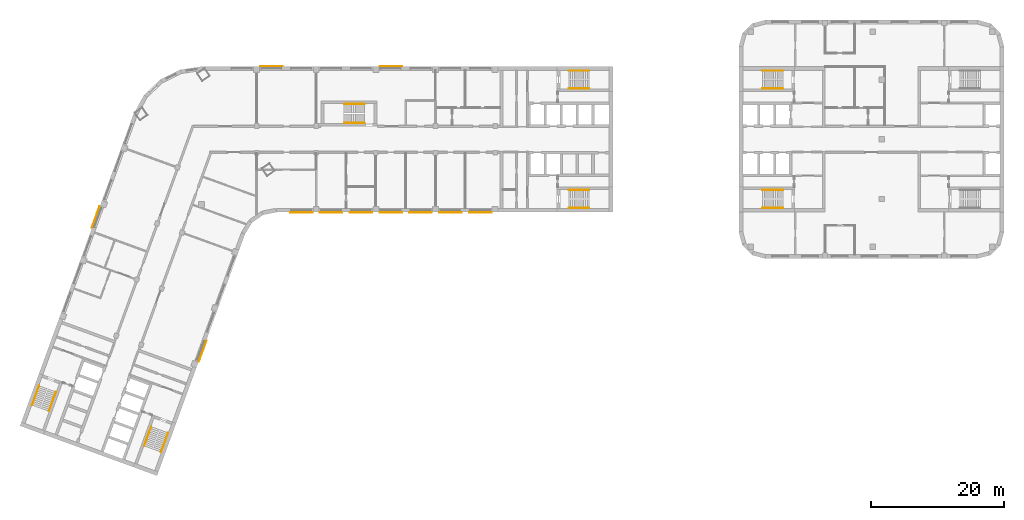
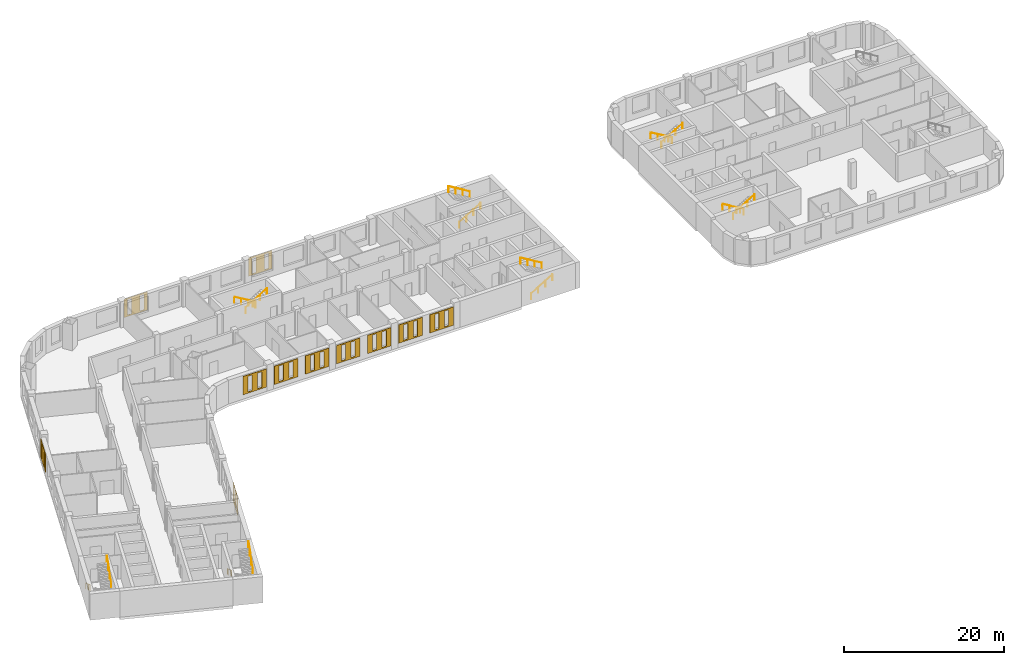
# One storey, part 11 of 12: 14 railings, 11 coverings.
"""IFC4 building model written with IfcOpenShell, lengths in metres."""

from ifc_helpers import new_model, si_unit, direction, frame, origin, origin_2d, place, context, subcontext, project, spatial, polyline, circle, outline, extrude, material, material_profile, profile_set, type_object, element, save


model = new_model("IFC4")

# Units and contexts
model_context = context("Model", 3, precision=1e-05, world=origin(), true_north=direction((0.0, 1.0)))
body_context = subcontext(model_context, "Body", "Model", "MODEL_VIEW")
ifc_project = project(units=[si_unit("LENGTHUNIT", "METRE"), si_unit("AREAUNIT", "SQUARE_METRE"), si_unit("VOLUMEUNIT", "CUBIC_METRE"), si_unit("PLANEANGLEUNIT", "RADIAN"), si_unit("MASSUNIT", "GRAM", prefix="KILO")], contexts=[model_context])

# Site, building, storey
site_placement = place(None, origin())
site = spatial("IfcSite", under=ifc_project, at=site_placement, CompositionType="ELEMENT")
building_placement = place(site_placement, origin())
building = spatial("IfcBuilding", under=site, at=building_placement, Name="Skarvind Civic Tower", CompositionType="ELEMENT")
storey_placement = place(building_placement, frame((0.0, 0.0, 47.5)))
storey = spatial("IfcBuildingStorey", under=building, at=storey_placement, Name="L10", CompositionType="ELEMENT", Elevation=47.5)

# Railings
ifc_material_1 = material(Name="Painted steel handrail", Category="steel")
railing_type = type_object("IfcRailingType", Name="Stair handrail 900", PredefinedType="HANDRAIL", material=ifc_material_1)
railing_1_placement = place(storey_placement, frame((101.35009765625, 135.64990234375, 0.166748046875)))
element("IfcRailing", 1, at=railing_1_placement, inside=storey, type_object=railing_type, Name="Stair handrail", PredefinedType="HANDRAIL", context=body_context, shape_type="SweptSolid", body=[
    extrude(circle(Radius=0.02392578125, at=origin_2d()), frame((0.0, 0.0, 0.8759765625), z_axis=(0.859290745958, 0.0, 0.51148745235), x_axis=(0.0, 1.0, 0.0)), (0.0, 0.0, 1.0), 3.584228515625),
    extrude(circle(Radius=0.02099609375, at=origin_2d()), origin(), (0.0, 0.0, 1.0), 0.851806640625),
    extrude(circle(Radius=0.02099609375, at=origin_2d()), frame((1.026611328125, 0.0, 0.611083984375)), (0.0, 0.0, 1.0), 0.851806640625),
    extrude(circle(Radius=0.02099609375, at=origin_2d()), frame((2.05322265625, 0.0, 1.22216796875)), (0.0, 0.0, 1.0), 0.851806640625),
    extrude(circle(Radius=0.02099609375, at=origin_2d()), frame((3.079833984375, 0.0, 1.833251953125)), (0.0, 0.0, 1.0), 0.851806640625),
])
railing_2_placement = place(storey_placement, frame((104.429931640625, 138.35009765625, 2.166748046875)))
element("IfcRailing", 2, at=railing_2_placement, inside=storey, type_object=railing_type, Name="Stair handrail", PredefinedType="HANDRAIL", context=body_context, shape_type="SweptSolid", body=[
    extrude(circle(Radius=0.02392578125, at=origin_2d()), frame((0.0, 0.0, 0.8759765625), z_axis=(-0.859290745958, 0.0, 0.51148745235), x_axis=(0.0, -1.0, 0.0)), (0.0, 0.0, 1.0), 3.584228515625),
    extrude(circle(Radius=0.02099609375, at=origin_2d()), origin(), (0.0, 0.0, 1.0), 0.851806640625),
    extrude(circle(Radius=0.02099609375, at=origin_2d()), frame((-1.026611328125, 0.0, 0.611083984375)), (0.0, 0.0, 1.0), 0.851806640625),
    extrude(circle(Radius=0.02099609375, at=origin_2d()), frame((-2.05322265625, 0.0, 1.22216796875)), (0.0, 0.0, 1.0), 0.851806640625),
    extrude(circle(Radius=0.02099609375, at=origin_2d()), frame((-3.079833984375, 0.0, 1.833251953125)), (0.0, 0.0, 1.0), 0.851806640625),
])
railing_3_placement = place(storey_placement, frame((101.35009765625, 117.64990234375, 0.166748046875)))
element("IfcRailing", 3, at=railing_3_placement, inside=storey, type_object=railing_type, Name="Stair handrail", PredefinedType="HANDRAIL", context=body_context, shape_type="SweptSolid", body=[
    extrude(circle(Radius=0.02392578125, at=origin_2d()), frame((0.0, 0.0, 0.8759765625), z_axis=(0.859290745958, 0.0, 0.51148745235), x_axis=(0.0, 1.0, 0.0)), (0.0, 0.0, 1.0), 3.584228515625),
    extrude(circle(Radius=0.02099609375, at=origin_2d()), origin(), (0.0, 0.0, 1.0), 0.851806640625),
    extrude(circle(Radius=0.02099609375, at=origin_2d()), frame((1.026611328125, 0.0, 0.611083984375)), (0.0, 0.0, 1.0), 0.851806640625),
    extrude(circle(Radius=0.02099609375, at=origin_2d()), frame((2.05322265625, 0.0, 1.22216796875)), (0.0, 0.0, 1.0), 0.851806640625),
    extrude(circle(Radius=0.02099609375, at=origin_2d()), frame((3.079833984375, 0.0, 1.833251953125)), (0.0, 0.0, 1.0), 0.851806640625),
])
railing_4_placement = place(storey_placement, frame((104.429931640625, 120.35009765625, 2.166748046875)))
element("IfcRailing", 4, at=railing_4_placement, inside=storey, type_object=railing_type, Name="Stair handrail", PredefinedType="HANDRAIL", context=body_context, shape_type="SweptSolid", body=[
    extrude(circle(Radius=0.02392578125, at=origin_2d()), frame((0.0, 0.0, 0.8759765625), z_axis=(-0.859290745958, 0.0, 0.51148745235), x_axis=(0.0, -1.0, 0.0)), (0.0, 0.0, 1.0), 3.584228515625),
    extrude(circle(Radius=0.02099609375, at=origin_2d()), origin(), (0.0, 0.0, 1.0), 0.851806640625),
    extrude(circle(Radius=0.02099609375, at=origin_2d()), frame((-1.026611328125, 0.0, 0.611083984375)), (0.0, 0.0, 1.0), 0.851806640625),
    extrude(circle(Radius=0.02099609375, at=origin_2d()), frame((-2.05322265625, 0.0, 1.22216796875)), (0.0, 0.0, 1.0), 0.851806640625),
    extrude(circle(Radius=0.02099609375, at=origin_2d()), frame((-3.079833984375, 0.0, 1.833251953125)), (0.0, 0.0, 1.0), 0.851806640625),
])
railing_5_placement = place(storey_placement, frame((38.362060546875, 84.64794921875, 0.166748046875)))
element("IfcRailing", 5, at=railing_5_placement, inside=storey, type_object=railing_type, Name="Stair handrail", PredefinedType="HANDRAIL", context=body_context, shape_type="SweptSolid", body=[
    extrude(circle(Radius=0.02392578125, at=origin_2d()), frame((0.0, 0.0, 0.8759765625), z_axis=(-0.293908055923, -0.807480881337, 0.511461319103), x_axis=(0.939689235759, -0.342029443467, 0.0)), (0.0, 0.0, 1.0), 3.584228515625),
    extrude(circle(Radius=0.02099609375, at=origin_2d()), origin(), (0.0, 0.0, 1.0), 0.851806640625),
    extrude(circle(Radius=0.02099609375, at=origin_2d()), frame((-0.35107421875, -0.96484375, 0.611083984375)), (0.0, 0.0, 1.0), 0.851806640625),
    extrude(circle(Radius=0.02099609375, at=origin_2d()), frame((-0.702392578125, -1.929443359375, 1.22216796875)), (0.0, 0.0, 1.0), 0.851806640625),
    extrude(circle(Radius=0.02099609375, at=origin_2d()), frame((-1.053466796875, -2.894287109375, 1.833251953125)), (0.0, 0.0, 1.0), 0.851806640625),
])
railing_6_placement = place(storey_placement, frame((39.845703125, 80.830078125, 2.166748046875)))
element("IfcRailing", 6, at=railing_6_placement, inside=storey, type_object=railing_type, Name="Stair handrail", PredefinedType="HANDRAIL", context=body_context, shape_type="SweptSolid", body=[
    extrude(circle(Radius=0.02392578125, at=origin_2d()), frame((0.0, 0.0, 0.8759765625), z_axis=(0.293908055923, 0.807480881337, 0.511461319103), x_axis=(-0.939689235759, 0.342029443467, 0.0)), (0.0, 0.0, 1.0), 3.584228515625),
    extrude(circle(Radius=0.02099609375, at=origin_2d()), origin(), (0.0, 0.0, 1.0), 0.851806640625),
    extrude(circle(Radius=0.02099609375, at=origin_2d()), frame((0.35107421875, 0.96484375, 0.611083984375)), (0.0, 0.0, 1.0), 0.851806640625),
    extrude(circle(Radius=0.02099609375, at=origin_2d()), frame((0.702392578125, 1.929443359375, 1.22216796875)), (0.0, 0.0, 1.0), 0.851806640625),
    extrude(circle(Radius=0.02099609375, at=origin_2d()), frame((1.053466796875, 2.894287109375, 1.833251953125)), (0.0, 0.0, 1.0), 0.851806640625),
])
railing_7_placement = place(storey_placement, frame((21.447509765625, 90.80419921875, 0.166748046875)))
element("IfcRailing", 7, at=railing_7_placement, inside=storey, type_object=railing_type, Name="Stair handrail", PredefinedType="HANDRAIL", context=body_context, shape_type="SweptSolid", body=[
    extrude(circle(Radius=0.02392578125, at=origin_2d()), frame((0.0, 0.0, 0.8759765625), z_axis=(-0.293845824691, -0.807497044902, 0.511471557163), x_axis=(0.939714709796, -0.34195944817, 0.0)), (0.0, 0.0, 1.0), 3.584228515625),
    extrude(circle(Radius=0.02099609375, at=origin_2d()), origin(), (0.0, 0.0, 1.0), 0.851806640625),
    extrude(circle(Radius=0.02099609375, at=origin_2d()), frame((-0.35107421875, -0.96484375, 0.611083984375)), (0.0, 0.0, 1.0), 0.851806640625),
    extrude(circle(Radius=0.02099609375, at=origin_2d()), frame((-0.7021484375, -1.929443359375, 1.22216796875)), (0.0, 0.0, 1.0), 0.851806640625),
    extrude(circle(Radius=0.02099609375, at=origin_2d()), frame((-1.05322265625, -2.894287109375, 1.833251953125)), (0.0, 0.0, 1.0), 0.851806640625),
])
railing_8_placement = place(storey_placement, frame((22.931396484375, 86.986572265625, 2.166748046875)))
element("IfcRailing", 8, at=railing_8_placement, inside=storey, type_object=railing_type, Name="Stair handrail", PredefinedType="HANDRAIL", context=body_context, shape_type="SweptSolid", body=[
    extrude(circle(Radius=0.02392578125, at=origin_2d()), frame((0.0, 0.0, 0.8759765625), z_axis=(0.293908055923, 0.807480881337, 0.511461319103), x_axis=(-0.939689235759, 0.342029443467, 0.0)), (0.0, 0.0, 1.0), 3.584228515625),
    extrude(circle(Radius=0.02099609375, at=origin_2d()), origin(), (0.0, 0.0, 1.0), 0.851806640625),
    extrude(circle(Radius=0.02099609375, at=origin_2d()), frame((0.35107421875, 0.96484375, 0.611083984375)), (0.0, 0.0, 1.0), 0.851806640625),
    extrude(circle(Radius=0.02099609375, at=origin_2d()), frame((0.702392578125, 1.929443359375, 1.22216796875)), (0.0, 0.0, 1.0), 0.851806640625),
    extrude(circle(Radius=0.02099609375, at=origin_2d()), frame((1.053466796875, 2.894287109375, 1.833251953125)), (0.0, 0.0, 1.0), 0.851806640625),
])
railing_9_placement = place(storey_placement, frame((133.64990234375, 120.35009765625, 0.166748046875)))
element("IfcRailing", 9, at=railing_9_placement, inside=storey, type_object=railing_type, Name="Stair handrail", PredefinedType="HANDRAIL", context=body_context, shape_type="SweptSolid", body=[
    extrude(circle(Radius=0.02392578125, at=origin_2d()), frame((0.0, 0.0, 0.8759765625), z_axis=(-0.859290745958, 0.0, 0.51148745235), x_axis=(0.0, -1.0, 0.0)), (0.0, 0.0, 1.0), 3.584228515625),
    extrude(circle(Radius=0.02099609375, at=origin_2d()), origin(), (0.0, 0.0, 1.0), 0.851806640625),
    extrude(circle(Radius=0.02099609375, at=origin_2d()), frame((-1.026611328125, 0.0, 0.611083984375)), (0.0, 0.0, 1.0), 0.851806640625),
    extrude(circle(Radius=0.02099609375, at=origin_2d()), frame((-2.05322265625, 0.0, 1.22216796875)), (0.0, 0.0, 1.0), 0.851806640625),
    extrude(circle(Radius=0.02099609375, at=origin_2d()), frame((-3.079833984375, 0.0, 1.833251953125)), (0.0, 0.0, 1.0), 0.851806640625),
])
railing_10_placement = place(storey_placement, frame((130.570068359375, 117.64990234375, 2.166748046875)))
element("IfcRailing", 10, at=railing_10_placement, inside=storey, type_object=railing_type, Name="Stair handrail", PredefinedType="HANDRAIL", context=body_context, shape_type="SweptSolid", body=[
    extrude(circle(Radius=0.02392578125, at=origin_2d()), frame((0.0, 0.0, 0.8759765625), z_axis=(0.859290745958, 0.0, 0.51148745235), x_axis=(0.0, 1.0, 0.0)), (0.0, 0.0, 1.0), 3.584228515625),
    extrude(circle(Radius=0.02099609375, at=origin_2d()), origin(), (0.0, 0.0, 1.0), 0.851806640625),
    extrude(circle(Radius=0.02099609375, at=origin_2d()), frame((1.026611328125, 0.0, 0.611083984375)), (0.0, 0.0, 1.0), 0.851806640625),
    extrude(circle(Radius=0.02099609375, at=origin_2d()), frame((2.05322265625, 0.0, 1.22216796875)), (0.0, 0.0, 1.0), 0.851806640625),
    extrude(circle(Radius=0.02099609375, at=origin_2d()), frame((3.079833984375, 0.0, 1.833251953125)), (0.0, 0.0, 1.0), 0.851806640625),
])
railing_11_placement = place(storey_placement, frame((133.64990234375, 138.35009765625, 0.166748046875)))
element("IfcRailing", 11, at=railing_11_placement, inside=storey, type_object=railing_type, Name="Stair handrail", PredefinedType="HANDRAIL", context=body_context, shape_type="SweptSolid", body=[
    extrude(circle(Radius=0.02392578125, at=origin_2d()), frame((0.0, 0.0, 0.8759765625), z_axis=(-0.859290745958, 0.0, 0.51148745235), x_axis=(0.0, -1.0, 0.0)), (0.0, 0.0, 1.0), 3.584228515625),
    extrude(circle(Radius=0.02099609375, at=origin_2d()), origin(), (0.0, 0.0, 1.0), 0.851806640625),
    extrude(circle(Radius=0.02099609375, at=origin_2d()), frame((-1.026611328125, 0.0, 0.611083984375)), (0.0, 0.0, 1.0), 0.851806640625),
    extrude(circle(Radius=0.02099609375, at=origin_2d()), frame((-2.05322265625, 0.0, 1.22216796875)), (0.0, 0.0, 1.0), 0.851806640625),
    extrude(circle(Radius=0.02099609375, at=origin_2d()), frame((-3.079833984375, 0.0, 1.833251953125)), (0.0, 0.0, 1.0), 0.851806640625),
])
railing_12_placement = place(storey_placement, frame((130.570068359375, 135.64990234375, 2.166748046875)))
element("IfcRailing", 12, at=railing_12_placement, inside=storey, type_object=railing_type, Name="Stair handrail", PredefinedType="HANDRAIL", context=body_context, shape_type="SweptSolid", body=[
    extrude(circle(Radius=0.02392578125, at=origin_2d()), frame((0.0, 0.0, 0.8759765625), z_axis=(0.859290745958, 0.0, 0.51148745235), x_axis=(0.0, 1.0, 0.0)), (0.0, 0.0, 1.0), 3.584228515625),
    extrude(circle(Radius=0.02099609375, at=origin_2d()), origin(), (0.0, 0.0, 1.0), 0.851806640625),
    extrude(circle(Radius=0.02099609375, at=origin_2d()), frame((1.026611328125, 0.0, 0.611083984375)), (0.0, 0.0, 1.0), 0.851806640625),
    extrude(circle(Radius=0.02099609375, at=origin_2d()), frame((2.05322265625, 0.0, 1.22216796875)), (0.0, 0.0, 1.0), 0.851806640625),
    extrude(circle(Radius=0.02099609375, at=origin_2d()), frame((3.079833984375, 0.0, 1.833251953125)), (0.0, 0.0, 1.0), 0.851806640625),
])
railing_13_placement = place(storey_placement, frame((70.550048828125, 133.35009765625, 0.166748046875)))
element("IfcRailing", 13, at=railing_13_placement, inside=storey, type_object=railing_type, Name="Stair handrail", PredefinedType="HANDRAIL", context=body_context, shape_type="SweptSolid", body=[
    extrude(circle(Radius=0.02392578125, at=origin_2d()), frame((0.0, 0.0, 0.8759765625), z_axis=(-0.859308565015, 0.0, 0.511457515432), x_axis=(0.0, -1.0, 0.0)), (0.0, 0.0, 1.0), 3.58447265625),
    extrude(circle(Radius=0.02099609375, at=origin_2d()), origin(), (0.0, 0.0, 1.0), 0.851806640625),
    extrude(circle(Radius=0.02099609375, at=origin_2d()), frame((-1.026611328125, 0.0, 0.611083984375)), (0.0, 0.0, 1.0), 0.851806640625),
    extrude(circle(Radius=0.02099609375, at=origin_2d()), frame((-2.053466796875, 0.0, 1.22216796875)), (0.0, 0.0, 1.0), 0.851806640625),
    extrude(circle(Radius=0.02099609375, at=origin_2d()), frame((-3.080078125, 0.0, 1.833251953125)), (0.0, 0.0, 1.0), 0.851806640625),
])
railing_14_placement = place(storey_placement, frame((67.469970703125, 130.449951171875, 2.166748046875)))
element("IfcRailing", 14, at=railing_14_placement, inside=storey, type_object=railing_type, Name="Stair handrail", PredefinedType="HANDRAIL", context=body_context, shape_type="SweptSolid", body=[
    extrude(circle(Radius=0.02392578125, at=origin_2d()), frame((0.0, 0.0, 0.8759765625), z_axis=(0.859308565015, 0.0, 0.511457515432), x_axis=(0.0, 1.0, 0.0)), (0.0, 0.0, 1.0), 3.58447265625),
    extrude(circle(Radius=0.02099609375, at=origin_2d()), origin(), (0.0, 0.0, 1.0), 0.851806640625),
    extrude(circle(Radius=0.02099609375, at=origin_2d()), frame((1.026611328125, 0.0, 0.611083984375)), (0.0, 0.0, 1.0), 0.851806640625),
    extrude(circle(Radius=0.02099609375, at=origin_2d()), frame((2.053466796875, 0.0, 1.22216796875)), (0.0, 0.0, 1.0), 0.851806640625),
    extrude(circle(Radius=0.02099609375, at=origin_2d()), frame((3.080078125, 0.0, 1.833251953125)), (0.0, 0.0, 1.0), 0.851806640625),
])

# Coverings
ifc_material_2 = material(Name="Terracotta", Category="masonry")
ifc_material_profile_1 = material_profile(ifc_material_2, outline(polyline([(-1.699951171875, -1.39990234375), (1.699951171875, -1.39990234375), (1.699951171875, 1.39990234375), (-1.699951171875, 1.39990234375), (-1.699951171875, -1.39990234375)]), holes=[polyline([(-1.0, -1.18994140625), (-0.39990234375, -1.18994140625), (-0.39990234375, 1.18994140625), (-1.0, 1.18994140625), (-1.0, -1.18994140625)]), polyline([(0.39990234375, -1.18994140625), (1.0, -1.18994140625), (1.0, 1.18994140625), (0.39990234375, 1.18994140625), (0.39990234375, -1.18994140625)])]), Name="TERRACOTTA SCREEN 3400 x 2800, SLIT PITCH 1400")
ifc_profile_set_1 = profile_set([ifc_material_profile_1], Name="Terracotta")
covering_type_1 = type_object("IfcCoveringType", Name="TERRACOTTA SCREEN 3400 x 2800, SLIT PITCH 1400", PredefinedType="CLADDING", material=ifc_profile_set_1)
for number, where, z_axis, x_axis, name in (
    (15, (88.0, 117.0, 2.10009765625), (0.0, -1.0, 0.0), (1.0, 0.0, 0.0), "TERRACOTTA SCREEN"),
    (16, (83.5, 117.0, 2.10009765625), (0.0, -1.0, 0.0), (1.0, 0.0, 0.0), "TERRACOTTA SCREEN"),
    (17, (79.0, 117.0, 2.10009765625), (0.0, -1.0, 0.0), (1.0, 0.0, 0.0), "TERRACOTTA SCREEN"),
    (18, (74.5, 117.0, 2.10009765625), (0.0, -1.0, 0.0), (1.0, 0.0, 0.0), "TERRACOTTA SCREEN"),
    (19, (70.0, 117.0, 2.10009765625), (0.0, -1.0, 0.0), (1.0, 0.0, 0.0), "TERRACOTTA SCREEN"),
    (20, (65.5, 117.0, 2.10009765625), (0.0, -1.0, 0.0), (1.0, 0.0, 0.0), "TERRACOTTA SCREEN"),
    (21, (61.0, 117.0, 2.10009765625), (0.0, -1.0, 0.0), (1.0, 0.0, 0.0), "TERRACOTTA SCREEN"),
):
    element("IfcCovering", number, at=place(storey_placement, frame(where, z_axis=z_axis, x_axis=x_axis)), inside=storey, type_object=covering_type_1, Name=name, PredefinedType="CLADDING", context=body_context, shape_type="SweptSolid", body=[
        extrude(outline(polyline([(-1.699951171875, -1.39990234375), (1.699951171875, -1.39990234375), (1.699951171875, 1.39990234375), (-1.699951171875, 1.39990234375), (-1.699951171875, -1.39990234375)]), holes=[polyline([(-1.0, -1.18994140625), (-0.39990234375, -1.18994140625), (-0.39990234375, 1.18994140625), (-1.0, 1.18994140625), (-1.0, -1.18994140625)]), polyline([(0.39990234375, -1.18994140625), (1.0, -1.18994140625), (1.0, 1.18994140625), (0.39990234375, 1.18994140625), (0.39990234375, -1.18994140625)])]), origin(), (0.0, 0.0, 1.0), 0.06005859375),
    ])
ifc_material_profile_2 = material_profile(ifc_material_2, outline(polyline([(-1.699951171875, -1.39990234375), (1.699951171875, -1.39990234375), (1.699951171875, 1.39990234375), (-1.699951171875, 1.39990234375), (-1.699951171875, -1.39990234375)]), holes=[polyline([(-1.199951171875, -1.18994140625), (-0.60009765625, -1.18994140625), (-0.60009765625, 1.18994140625), (-1.199951171875, 1.18994140625), (-1.199951171875, -1.18994140625)]), polyline([(0.60009765625, -1.18994140625), (1.199951171875, -1.18994140625), (1.199951171875, 1.18994140625), (0.60009765625, 1.18994140625), (0.60009765625, -1.18994140625)])]), Name="TERRACOTTA SCREEN 3400 x 2800, SLIT PITCH 1800")
ifc_profile_set_2 = profile_set([ifc_material_profile_2], Name="Terracotta")
covering_type_2 = type_object("IfcCoveringType", Name="TERRACOTTA SCREEN 3400 x 2800, SLIT PITCH 1800", PredefinedType="CLADDING", material=ifc_profile_set_2)
for number, where, z_axis, x_axis, name in (
    (22, (46.075927734375, 96.047119140625, 2.10009765625), (0.939793423488, -0.341743063087, 0.0), (0.341743063087, 0.939793423488, 0.0), "TERRACOTTA SCREEN"),
    (23, (56.5, 139.0, 2.10009765625), (0.0, 1.0, 0.0), (-1.0, 0.0, 0.0), "TERRACOTTA SCREEN"),
    (24, (74.5, 139.0, 2.10009765625), (0.0, 1.0, 0.0), (-1.0, 0.0, 0.0), "TERRACOTTA SCREEN"),
    (25, (30.02001953125, 116.25732421875, 2.10009765625), (-0.939793423488, 0.341743063087, 0.0), (-0.341743063087, -0.939793423488, 0.0), "TERRACOTTA SCREEN"),
):
    element("IfcCovering", number, at=place(storey_placement, frame(where, z_axis=z_axis, x_axis=x_axis)), inside=storey, type_object=covering_type_2, Name=name, PredefinedType="CLADDING", context=body_context, shape_type="SweptSolid", body=[
        extrude(outline(polyline([(-1.699951171875, -1.39990234375), (1.699951171875, -1.39990234375), (1.699951171875, 1.39990234375), (-1.699951171875, 1.39990234375), (-1.699951171875, -1.39990234375)]), holes=[polyline([(-1.199951171875, -1.18994140625), (-0.60009765625, -1.18994140625), (-0.60009765625, 1.18994140625), (-1.199951171875, 1.18994140625), (-1.199951171875, -1.18994140625)]), polyline([(0.60009765625, -1.18994140625), (1.199951171875, -1.18994140625), (1.199951171875, 1.18994140625), (0.60009765625, 1.18994140625), (0.60009765625, -1.18994140625)])]), origin(), (0.0, 0.0, 1.0), 0.06005859375),
    ])

save(model, "model.ifc")
